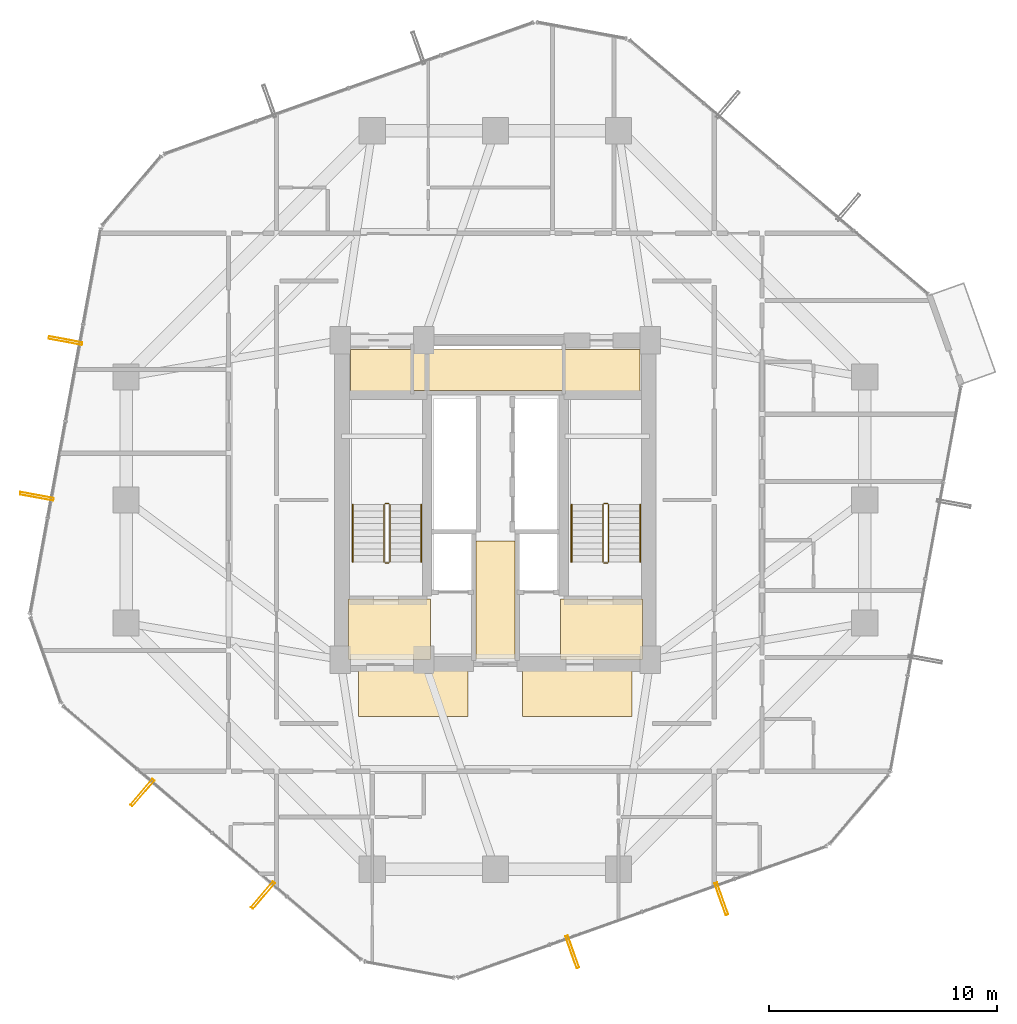
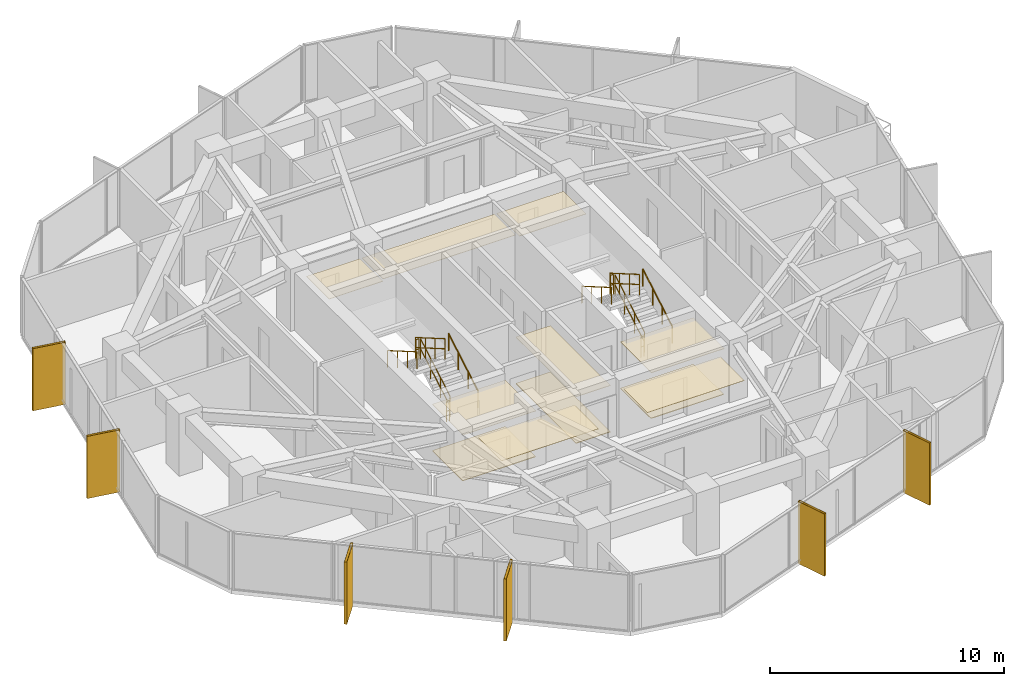
# One storey, part 32 of 33: 12 railings, 11 coverings, 6 shading devices.
"""IFC4 building model written with IfcOpenShell, lengths in metres."""

from ifc_helpers import new_model, si_unit, direction, frame, origin, origin_2d, place, context, subcontext, project, spatial, polyline, hollow_rectangle, circle, outline, extrude, material, layer, layer_set, material_profile, profile_set, type_object, element, save


model = new_model("IFC4")

# Units and contexts
model_context = context("Model", 3, precision=1e-05, world=origin(), true_north=direction((0.0, 1.0)))
body_context = subcontext(model_context, "Body", "Model", "MODEL_VIEW")
ifc_project = project(units=[si_unit("LENGTHUNIT", "METRE"), si_unit("AREAUNIT", "SQUARE_METRE"), si_unit("VOLUMEUNIT", "CUBIC_METRE"), si_unit("PLANEANGLEUNIT", "RADIAN"), si_unit("MASSUNIT", "GRAM", prefix="KILO")], contexts=[model_context])

# Site, building, storey
site_placement = place(None, origin())
site = spatial("IfcSite", under=ifc_project, at=site_placement, CompositionType="ELEMENT")
building_placement = place(site_placement, origin())
building = spatial("IfcBuilding", under=site, at=building_placement, Name="Veraguas Prism Commons", CompositionType="ELEMENT")
storey_placement = place(building_placement, frame((0.0, 0.0, 92.699951171875)))
storey = spatial("IfcBuildingStorey", under=building, at=storey_placement, Name="L25", CompositionType="ELEMENT", Elevation=92.699951171875)

# Shading devices
ifc_material_1 = material(Name="Anodised aluminium EN AW-6063 T6", Category="aluminium")
ifc_material_profile = material_profile(ifc_material_1, hollow_rectangle(XDim=0.1201171875, YDim=1.489990234375, WallThickness=0.006103515625, at=origin_2d()), Name="FIN120X1490X6")
ifc_profile_set = profile_set([ifc_material_profile], Name="Anodised aluminium EN AW-6063 T6")
shading_device_type = type_object("IfcShadingDeviceType", Name="Deep Pale-Metal Vertical Solar Fin 120x1490", PredefinedType="USERDEFINED", material=ifc_profile_set)
for number, where, z_axis, x_axis, name in (
    (1, (5.14453125, 30.989501953125, -0.22998046875), (0.0, 0.0, 1.0), (-0.180520861906, -0.983571155747, 0.0), "Vertical Pale-Metal Solar Fin L25-F3A"),
    (2, (3.891357421875, 24.161865234375, -0.22998046875), (0.0, 0.0, 1.0), (-0.180520861906, -0.983571155747, 0.0), "Vertical Pale-Metal Solar Fin L25-F3B"),
    (3, (8.519287109375, 11.165283203125, -0.22998046875), (0.0, 0.0, 1.0), (0.761540569897, -0.648117242789, 0.0), "Vertical Pale-Metal Solar Fin L25-F4A"),
    (4, (13.8056640625, 6.666259765625, -0.22998046875), (0.0, 0.0, 1.0), (0.761540569897, -0.648117242789, 0.0), "Vertical Pale-Metal Solar Fin L25-F4B"),
    (5, (27.374755859375, 4.17578125, -0.22998046875), (0.0, 0.0, 1.0), (0.942056281835, 0.335454858149, 0.0), "Vertical Pale-Metal Solar Fin L25-F5A"),
    (6, (33.914306640625, 6.50439453125, -0.22998046875), (0.0, 0.0, 1.0), (0.942056281835, 0.335454858149, 0.0), "Vertical Pale-Metal Solar Fin L25-F5B"),
):
    element("IfcShadingDevice", number, at=place(storey_placement, frame(where, z_axis=z_axis, x_axis=x_axis)), inside=storey, type_object=shading_device_type, Name=name, ObjectType="FIN", PredefinedType="USERDEFINED", context=body_context, shape_type="SweptSolid", body=[
        extrude(hollow_rectangle(XDim=0.1201171875, YDim=1.489990234375, WallThickness=0.006103515625, at=origin_2d()), origin(), (0.0, 0.0, 1.0), 3.25),
    ])

# Coverings
ifc_material_2 = material(Name="Acoustic gypsum board")
ifc_layer_1 = layer(ifc_material_2, 0.02490234375, Name="Perforated Acoustic Ceiling Tile 25")
ifc_layer_set_1 = layer_set([ifc_layer_1], Name="Acoustic gypsum board")
covering_type_1 = type_object("IfcCoveringType", Name="Perforated Acoustic Ceiling Tile 25", PredefinedType="USERDEFINED", material=ifc_layer_set_1)
covering_1_placement = place(storey_placement, frame((0.0, 0.0, 2.425048828125)))
element("IfcCovering", 7, at=covering_1_placement, inside=storey, type_object=covering_type_1, Name="East Lobby Acoustic Ceiling L25", ObjectType="ACOUSTIC CEILING", PredefinedType="USERDEFINED", context=body_context, shape_type="SweptSolid", body=[
    extrude(outline(polyline([(26.85009765625, 17.0), (30.449951171875, 17.0), (30.449951171875, 19.64990234375), (26.85009765625, 19.64990234375), (26.85009765625, 17.0)])), origin(), (0.0, 0.0, 1.0), 0.02490234375),
])
ifc_material_3 = material(Name="Terrazzo stone finish", Category="masonry")
ifc_layer_2 = layer(ifc_material_3, 0.030029296875, Name="Polished Terrazzo Floor Finish 30", Category="masonry")
ifc_layer_set_2 = layer_set([ifc_layer_2], Name="Terrazzo stone finish")
covering_type_2 = type_object("IfcCoveringType", Name="Polished Terrazzo Floor Finish 30", PredefinedType="FLOORING", material=ifc_layer_set_2)
covering_2_placement = place(storey_placement, origin())
element("IfcCovering", 8, at=covering_2_placement, inside=storey, type_object=covering_type_2, Name="Terrazzo Lobby Flooring L25", PredefinedType="FLOORING", context=body_context, shape_type="SweptSolid", body=[
    extrude(outline(polyline([(23.14990234375, 17.050048828125), (24.85009765625, 17.050048828125), (24.85009765625, 22.199951171875), (23.14990234375, 22.199951171875), (23.14990234375, 17.050048828125)])), origin(), (0.0, 0.0, 1.0), 0.030029296875),
])
covering_3_placement = place(storey_placement, origin())
element("IfcCovering", 9, at=covering_3_placement, inside=storey, type_object=covering_type_2, Name="West FF Lobby Terrazzo Flooring L25", PredefinedType="FLOORING", context=body_context, shape_type="SweptSolid", body=[
    extrude(outline(polyline([(17.550048828125, 17.050048828125), (21.14990234375, 17.050048828125), (21.14990234375, 19.64990234375), (17.550048828125, 19.64990234375), (17.550048828125, 17.050048828125)])), origin(), (0.0, 0.0, 1.0), 0.030029296875),
])
covering_4_placement = place(storey_placement, origin())
element("IfcCovering", 10, at=covering_4_placement, inside=storey, type_object=covering_type_2, Name="East FF Lobby Terrazzo Flooring L25", PredefinedType="FLOORING", context=body_context, shape_type="SweptSolid", body=[
    extrude(outline(polyline([(26.85009765625, 17.050048828125), (30.449951171875, 17.050048828125), (30.449951171875, 19.64990234375), (26.85009765625, 19.64990234375), (26.85009765625, 17.050048828125)])), origin(), (0.0, 0.0, 1.0), 0.030029296875),
])

# Railings
ifc_material_4 = material(Name="Stainless steel AISI 316", Category="steel")
railing_type_1 = type_object("IfcRailingType", Name="Stair and Ramp Stainless Handrail 900", PredefinedType="HANDRAIL", material=ifc_material_4)
railing_1_placement = place(storey_placement, frame((20.75, 21.280029296875, 0.16259765625)))
element("IfcRailing", 11, at=railing_1_placement, inside=storey, type_object=railing_type_1, Name="Stair Handrail ST-01 L25-1", PredefinedType="HANDRAIL", context=body_context, shape_type="SweptSolid", body=[
    extrude(circle(Radius=0.02392578125, at=origin_2d()), frame((0.0, 0.0, 0.8759765625), z_axis=(0.0, 0.864913338283, 0.50192122615), x_axis=(-1.0, 0.0, 0.0)), (0.0, 0.0, 1.0), 2.91357421875),
    extrude(circle(Radius=0.02099609375, at=origin_2d()), origin(), (0.0, 0.0, 1.0), 0.851806640625),
    extrude(circle(Radius=0.02099609375, at=origin_2d()), frame((0.0, 0.840087890625, 0.487548828125)), (0.0, 0.0, 1.0), 0.851806640625),
    extrude(circle(Radius=0.02099609375, at=origin_2d()), frame((0.0, 1.679931640625, 0.974853515625)), (0.0, 0.0, 1.0), 0.851806640625),
    extrude(circle(Radius=0.02099609375, at=origin_2d()), frame((0.0, 2.52001953125, 1.46240234375)), (0.0, 0.0, 1.0), 0.851806640625),
])
railing_2_placement = place(storey_placement, frame((17.739990234375, 23.800048828125, 1.78759765625)))
element("IfcRailing", 12, at=railing_2_placement, inside=storey, type_object=railing_type_1, Name="Stair Handrail ST-01 L25-2", PredefinedType="HANDRAIL", context=body_context, shape_type="SweptSolid", body=[
    extrude(circle(Radius=0.02392578125, at=origin_2d()), frame((0.0, 0.0, 0.8759765625), z_axis=(0.0, -0.864913338283, 0.50192122615), x_axis=(1.0, 0.0, 0.0)), (0.0, 0.0, 1.0), 2.91357421875),
    extrude(circle(Radius=0.02099609375, at=origin_2d()), origin(), (0.0, 0.0, 1.0), 0.851806640625),
    extrude(circle(Radius=0.02099609375, at=origin_2d()), frame((0.0, -0.840087890625, 0.487548828125)), (0.0, 0.0, 1.0), 0.851806640625),
    extrude(circle(Radius=0.02099609375, at=origin_2d()), frame((0.0, -1.679931640625, 0.974853515625)), (0.0, 0.0, 1.0), 0.851806640625),
    extrude(circle(Radius=0.02099609375, at=origin_2d()), frame((0.0, -2.52001953125, 1.46240234375)), (0.0, 0.0, 1.0), 0.851806640625),
])
railing_3_placement = place(storey_placement, frame((30.35009765625, 21.280029296875, 0.16259765625)))
element("IfcRailing", 13, at=railing_3_placement, inside=storey, type_object=railing_type_1, Name="Stair Handrail ST-02 L25-1", PredefinedType="HANDRAIL", context=body_context, shape_type="SweptSolid", body=[
    extrude(circle(Radius=0.02392578125, at=origin_2d()), frame((0.0, 0.0, 0.8759765625), z_axis=(0.0, 0.864913338283, 0.50192122615), x_axis=(-1.0, 0.0, 0.0)), (0.0, 0.0, 1.0), 2.91357421875),
    extrude(circle(Radius=0.02099609375, at=origin_2d()), origin(), (0.0, 0.0, 1.0), 0.851806640625),
    extrude(circle(Radius=0.02099609375, at=origin_2d()), frame((0.0, 0.840087890625, 0.487548828125)), (0.0, 0.0, 1.0), 0.851806640625),
    extrude(circle(Radius=0.02099609375, at=origin_2d()), frame((0.0, 1.679931640625, 0.974853515625)), (0.0, 0.0, 1.0), 0.851806640625),
    extrude(circle(Radius=0.02099609375, at=origin_2d()), frame((0.0, 2.52001953125, 1.46240234375)), (0.0, 0.0, 1.0), 0.851806640625),
])
railing_4_placement = place(storey_placement, frame((27.340087890625, 23.800048828125, 1.78759765625)))
element("IfcRailing", 14, at=railing_4_placement, inside=storey, type_object=railing_type_1, Name="Stair Handrail ST-02 L25-2", PredefinedType="HANDRAIL", context=body_context, shape_type="SweptSolid", body=[
    extrude(circle(Radius=0.02392578125, at=origin_2d()), frame((0.0, 0.0, 0.8759765625), z_axis=(0.0, -0.864913338283, 0.50192122615), x_axis=(1.0, 0.0, 0.0)), (0.0, 0.0, 1.0), 2.91357421875),
    extrude(circle(Radius=0.02099609375, at=origin_2d()), origin(), (0.0, 0.0, 1.0), 0.851806640625),
    extrude(circle(Radius=0.02099609375, at=origin_2d()), frame((0.0, -0.840087890625, 0.487548828125)), (0.0, 0.0, 1.0), 0.851806640625),
    extrude(circle(Radius=0.02099609375, at=origin_2d()), frame((0.0, -1.679931640625, 0.974853515625)), (0.0, 0.0, 1.0), 0.851806640625),
    extrude(circle(Radius=0.02099609375, at=origin_2d()), frame((0.0, -2.52001953125, 1.46240234375)), (0.0, 0.0, 1.0), 0.851806640625),
])
railing_type_2 = type_object("IfcRailingType", Name="Stairwell Safety Guardrail 1100", PredefinedType="GUARDRAIL", material=ifc_material_4)
railing_5_placement = place(storey_placement, frame((19.3701171875, 21.280029296875, 0.16259765625)))
element("IfcRailing", 15, at=railing_5_placement, inside=storey, type_object=railing_type_2, Name="Stair Guard ST-01 L25-1", PredefinedType="GUARDRAIL", context=body_context, shape_type="SweptSolid", body=[
    extrude(circle(Radius=0.02392578125, at=origin_2d()), frame((0.0, 0.0, 1.076171875), z_axis=(0.0, 0.864913338283, 0.50192122615), x_axis=(-1.0, 0.0, 0.0)), (0.0, 0.0, 1.0), 2.91357421875),
    extrude(circle(Radius=0.02392578125, at=origin_2d()), frame((0.0, 0.0, 0.550048828125), z_axis=(0.0, 0.864913338283, 0.50192122615), x_axis=(-1.0, 0.0, 0.0)), (0.0, 0.0, 1.0), 2.91357421875),
    extrude(circle(Radius=0.02099609375, at=origin_2d()), origin(), (0.0, 0.0, 1.0), 1.052001953125),
    extrude(circle(Radius=0.02099609375, at=origin_2d()), frame((0.0, 0.840087890625, 0.487548828125)), (0.0, 0.0, 1.0), 1.052001953125),
    extrude(circle(Radius=0.02099609375, at=origin_2d()), frame((0.0, 1.679931640625, 0.974853515625)), (0.0, 0.0, 1.0), 1.052001953125),
    extrude(circle(Radius=0.02099609375, at=origin_2d()), frame((0.0, 2.52001953125, 1.46240234375)), (0.0, 0.0, 1.0), 1.052001953125),
])
railing_6_placement = place(storey_placement, frame((19.320068359375, 23.85009765625, 1.625)))
element("IfcRailing", 16, at=railing_6_placement, inside=storey, type_object=railing_type_2, Name="Stair Guard ST-01 L25-2", PredefinedType="GUARDRAIL", context=body_context, shape_type="SweptSolid", body=[
    extrude(circle(Radius=0.02392578125, at=origin_2d()), frame((0.0, 0.0, 1.076171875), z_axis=(-1.0, 0.0, 0.0), x_axis=(0.0, -1.0, 0.0)), (0.0, 0.0, 1.0), 0.150146484375),
    extrude(circle(Radius=0.02392578125, at=origin_2d()), frame((0.0, 0.0, 0.550048828125), z_axis=(-1.0, 0.0, 0.0), x_axis=(0.0, -1.0, 0.0)), (0.0, 0.0, 1.0), 0.150146484375),
    extrude(circle(Radius=0.02099609375, at=origin_2d()), origin(), (0.0, 0.0, 1.0), 1.052001953125),
    extrude(circle(Radius=0.02099609375, at=origin_2d()), frame((-0.150146484375, 0.0, 0.0)), (0.0, 0.0, 1.0), 1.052001953125),
])
railing_7_placement = place(storey_placement, frame((19.1201171875, 23.800048828125, 1.78759765625)))
element("IfcRailing", 17, at=railing_7_placement, inside=storey, type_object=railing_type_2, Name="Stair Guard ST-01 L25-3", PredefinedType="GUARDRAIL", context=body_context, shape_type="SweptSolid", body=[
    extrude(circle(Radius=0.02392578125, at=origin_2d()), frame((0.0, 0.0, 1.076171875), z_axis=(0.0, -0.864913338283, 0.50192122615), x_axis=(1.0, 0.0, 0.0)), (0.0, 0.0, 1.0), 2.91357421875),
    extrude(circle(Radius=0.02392578125, at=origin_2d()), frame((0.0, 0.0, 0.550048828125), z_axis=(0.0, -0.864913338283, 0.50192122615), x_axis=(1.0, 0.0, 0.0)), (0.0, 0.0, 1.0), 2.91357421875),
    extrude(circle(Radius=0.02099609375, at=origin_2d()), origin(), (0.0, 0.0, 1.0), 1.052001953125),
    extrude(circle(Radius=0.02099609375, at=origin_2d()), frame((0.0, -0.840087890625, 0.487548828125)), (0.0, 0.0, 1.0), 1.052001953125),
    extrude(circle(Radius=0.02099609375, at=origin_2d()), frame((0.0, -1.679931640625, 0.974853515625)), (0.0, 0.0, 1.0), 1.052001953125),
    extrude(circle(Radius=0.02099609375, at=origin_2d()), frame((0.0, -2.52001953125, 1.46240234375)), (0.0, 0.0, 1.0), 1.052001953125),
])
railing_8_placement = place(storey_placement, frame((19.320068359375, 21.22998046875, 0.0)))
element("IfcRailing", 18, at=railing_8_placement, inside=storey, type_object=railing_type_2, Name="Stair Guard ST-01 L25-4", PredefinedType="GUARDRAIL", context=body_context, shape_type="SweptSolid", body=[
    extrude(circle(Radius=0.02392578125, at=origin_2d()), frame((0.0, 0.0, 1.076171875), z_axis=(-1.0, 0.0, 0.0), x_axis=(0.0, -1.0, 0.0)), (0.0, 0.0, 1.0), 0.150146484375),
    extrude(circle(Radius=0.02392578125, at=origin_2d()), frame((0.0, 0.0, 0.550048828125), z_axis=(-1.0, 0.0, 0.0), x_axis=(0.0, -1.0, 0.0)), (0.0, 0.0, 1.0), 0.150146484375),
    extrude(circle(Radius=0.02099609375, at=origin_2d()), origin(), (0.0, 0.0, 1.0), 1.052001953125),
    extrude(circle(Radius=0.02099609375, at=origin_2d()), frame((-0.150146484375, 0.0, 0.0)), (0.0, 0.0, 1.0), 1.052001953125),
])
railing_9_placement = place(storey_placement, frame((28.969970703125, 21.280029296875, 0.16259765625)))
element("IfcRailing", 19, at=railing_9_placement, inside=storey, type_object=railing_type_2, Name="Stair Guard ST-02 L25-1", PredefinedType="GUARDRAIL", context=body_context, shape_type="SweptSolid", body=[
    extrude(circle(Radius=0.02392578125, at=origin_2d()), frame((0.0, 0.0, 1.076171875), z_axis=(0.0, 0.864913338283, 0.50192122615), x_axis=(-1.0, 0.0, 0.0)), (0.0, 0.0, 1.0), 2.91357421875),
    extrude(circle(Radius=0.02392578125, at=origin_2d()), frame((0.0, 0.0, 0.550048828125), z_axis=(0.0, 0.864913338283, 0.50192122615), x_axis=(-1.0, 0.0, 0.0)), (0.0, 0.0, 1.0), 2.91357421875),
    extrude(circle(Radius=0.02099609375, at=origin_2d()), origin(), (0.0, 0.0, 1.0), 1.052001953125),
    extrude(circle(Radius=0.02099609375, at=origin_2d()), frame((0.0, 0.840087890625, 0.487548828125)), (0.0, 0.0, 1.0), 1.052001953125),
    extrude(circle(Radius=0.02099609375, at=origin_2d()), frame((0.0, 1.679931640625, 0.974853515625)), (0.0, 0.0, 1.0), 1.052001953125),
    extrude(circle(Radius=0.02099609375, at=origin_2d()), frame((0.0, 2.52001953125, 1.46240234375)), (0.0, 0.0, 1.0), 1.052001953125),
])
railing_10_placement = place(storey_placement, frame((28.919921875, 23.85009765625, 1.625)))
element("IfcRailing", 20, at=railing_10_placement, inside=storey, type_object=railing_type_2, Name="Stair Guard ST-02 L25-2", PredefinedType="GUARDRAIL", context=body_context, shape_type="SweptSolid", body=[
    extrude(circle(Radius=0.02392578125, at=origin_2d()), frame((0.0, 0.0, 1.076171875), z_axis=(-1.0, 0.0, 0.0), x_axis=(0.0, -1.0, 0.0)), (0.0, 0.0, 1.0), 0.14990234375),
    extrude(circle(Radius=0.02392578125, at=origin_2d()), frame((0.0, 0.0, 0.550048828125), z_axis=(-1.0, 0.0, 0.0), x_axis=(0.0, -1.0, 0.0)), (0.0, 0.0, 1.0), 0.14990234375),
    extrude(circle(Radius=0.02099609375, at=origin_2d()), origin(), (0.0, 0.0, 1.0), 1.052001953125),
    extrude(circle(Radius=0.02099609375, at=origin_2d()), frame((-0.14990234375, 0.0, 0.0)), (0.0, 0.0, 1.0), 1.052001953125),
])
railing_11_placement = place(storey_placement, frame((28.719970703125, 23.800048828125, 1.78759765625)))
element("IfcRailing", 21, at=railing_11_placement, inside=storey, type_object=railing_type_2, Name="Stair Guard ST-02 L25-3", PredefinedType="GUARDRAIL", context=body_context, shape_type="SweptSolid", body=[
    extrude(circle(Radius=0.02392578125, at=origin_2d()), frame((0.0, 0.0, 1.076171875), z_axis=(0.0, -0.864913338283, 0.50192122615), x_axis=(1.0, 0.0, 0.0)), (0.0, 0.0, 1.0), 2.91357421875),
    extrude(circle(Radius=0.02392578125, at=origin_2d()), frame((0.0, 0.0, 0.550048828125), z_axis=(0.0, -0.864913338283, 0.50192122615), x_axis=(1.0, 0.0, 0.0)), (0.0, 0.0, 1.0), 2.91357421875),
    extrude(circle(Radius=0.02099609375, at=origin_2d()), origin(), (0.0, 0.0, 1.0), 1.052001953125),
    extrude(circle(Radius=0.02099609375, at=origin_2d()), frame((0.0, -0.840087890625, 0.487548828125)), (0.0, 0.0, 1.0), 1.052001953125),
    extrude(circle(Radius=0.02099609375, at=origin_2d()), frame((0.0, -1.679931640625, 0.974853515625)), (0.0, 0.0, 1.0), 1.052001953125),
    extrude(circle(Radius=0.02099609375, at=origin_2d()), frame((0.0, -2.52001953125, 1.46240234375)), (0.0, 0.0, 1.0), 1.052001953125),
])
railing_12_placement = place(storey_placement, frame((28.919921875, 21.22998046875, 0.0)))
element("IfcRailing", 22, at=railing_12_placement, inside=storey, type_object=railing_type_2, Name="Stair Guard ST-02 L25-4", PredefinedType="GUARDRAIL", context=body_context, shape_type="SweptSolid", body=[
    extrude(circle(Radius=0.02392578125, at=origin_2d()), frame((0.0, 0.0, 1.076171875), z_axis=(-1.0, 0.0, 0.0), x_axis=(0.0, -1.0, 0.0)), (0.0, 0.0, 1.0), 0.14990234375),
    extrude(circle(Radius=0.02392578125, at=origin_2d()), frame((0.0, 0.0, 0.550048828125), z_axis=(-1.0, 0.0, 0.0), x_axis=(0.0, -1.0, 0.0)), (0.0, 0.0, 1.0), 0.14990234375),
    extrude(circle(Radius=0.02099609375, at=origin_2d()), origin(), (0.0, 0.0, 1.0), 1.052001953125),
    extrude(circle(Radius=0.02099609375, at=origin_2d()), frame((-0.14990234375, 0.0, 0.0)), (0.0, 0.0, 1.0), 1.052001953125),
])

# Coverings
ifc_layer_3 = layer(ifc_material_2, 0.02001953125, Name="Suspended Gypsum Ceiling 20")
ifc_layer_set_3 = layer_set([ifc_layer_3], Name="Acoustic gypsum board")
covering_type_3 = type_object("IfcCoveringType", Name="Suspended Gypsum Ceiling 20", PredefinedType="CEILING", material=ifc_layer_set_3)
covering_5_placement = place(storey_placement, frame((0.0, 0.0, 2.429931640625)))
element("IfcCovering", 23, at=covering_5_placement, inside=storey, type_object=covering_type_3, Name="West Lobby Suspended Gypsum Ceiling L25", PredefinedType="CEILING", context=body_context, shape_type="SweptSolid", body=[
    extrude(outline(polyline([(17.550048828125, 17.0), (21.14990234375, 17.0), (21.14990234375, 19.64990234375), (17.550048828125, 19.64990234375), (17.550048828125, 17.0)])), origin(), (0.0, 0.0, 1.0), 0.02001953125),
])
covering_6_placement = place(storey_placement, frame((0.0, 0.0, 2.429931640625)))
element("IfcCovering", 24, at=covering_6_placement, inside=storey, type_object=covering_type_3, Name="Core Lobby Acoustic Ceiling L25-1", PredefinedType="CEILING", context=body_context, shape_type="SweptSolid", body=[
    extrude(outline(polyline([(18.0, 14.5), (22.800048828125, 14.5), (22.800048828125, 16.550048828125), (18.0, 16.550048828125), (18.0, 14.5)])), origin(), (0.0, 0.0, 1.0), 0.02001953125),
])
covering_7_placement = place(storey_placement, frame((0.0, 0.0, 2.429931640625)))
element("IfcCovering", 25, at=covering_7_placement, inside=storey, type_object=covering_type_3, Name="Core Lobby Acoustic Ceiling L25-2", PredefinedType="CEILING", context=body_context, shape_type="SweptSolid", body=[
    extrude(outline(polyline([(25.199951171875, 14.5), (30.0, 14.5), (30.0, 16.550048828125), (25.199951171875, 16.550048828125), (25.199951171875, 14.5)])), origin(), (0.0, 0.0, 1.0), 0.02001953125),
])
covering_8_placement = place(storey_placement, frame((0.0, 0.0, 2.429931640625)))
element("IfcCovering", 26, at=covering_8_placement, inside=storey, type_object=covering_type_3, Name="Core Lobby Acoustic Ceiling L25-3", PredefinedType="CEILING", context=body_context, shape_type="SweptSolid", body=[
    extrude(outline(polyline([(23.14990234375, 17.050048828125), (24.85009765625, 17.050048828125), (24.85009765625, 22.199951171875), (23.14990234375, 22.199951171875), (23.14990234375, 17.050048828125)])), origin(), (0.0, 0.0, 1.0), 0.02001953125),
])
covering_9_placement = place(storey_placement, frame((0.0, 0.0, 2.429931640625)))
element("IfcCovering", 27, at=covering_9_placement, inside=storey, type_object=covering_type_3, Name="Core Lobby Acoustic Ceiling L25-4", PredefinedType="CEILING", context=body_context, shape_type="SweptSolid", body=[
    extrude(outline(polyline([(17.64990234375, 28.64990234375), (20.300048828125, 28.64990234375), (20.300048828125, 30.60009765625), (17.64990234375, 30.60009765625), (17.64990234375, 28.64990234375)])), origin(), (0.0, 0.0, 1.0), 0.02001953125),
])
covering_10_placement = place(storey_placement, frame((0.0, 0.0, 2.429931640625)))
element("IfcCovering", 28, at=covering_10_placement, inside=storey, type_object=covering_type_3, Name="Core Lobby Acoustic Ceiling L25-5", PredefinedType="CEILING", context=body_context, shape_type="SweptSolid", body=[
    extrude(outline(polyline([(27.050048828125, 28.64990234375), (30.35009765625, 28.64990234375), (30.35009765625, 30.60009765625), (27.050048828125, 30.60009765625), (27.050048828125, 28.64990234375)])), origin(), (0.0, 0.0, 1.0), 0.02001953125),
])
covering_11_placement = place(storey_placement, frame((0.0, 0.0, 2.429931640625)))
element("IfcCovering", 29, at=covering_11_placement, inside=storey, type_object=covering_type_3, Name="Core Lobby Acoustic Ceiling L25-6", PredefinedType="CEILING", context=body_context, shape_type="SweptSolid", body=[
    extrude(outline(polyline([(20.39990234375, 28.800048828125), (26.949951171875, 28.800048828125), (26.949951171875, 30.60009765625), (20.39990234375, 30.60009765625), (20.39990234375, 28.800048828125)])), origin(), (0.0, 0.0, 1.0), 0.02001953125),
])

save(model, "model.ifc")
